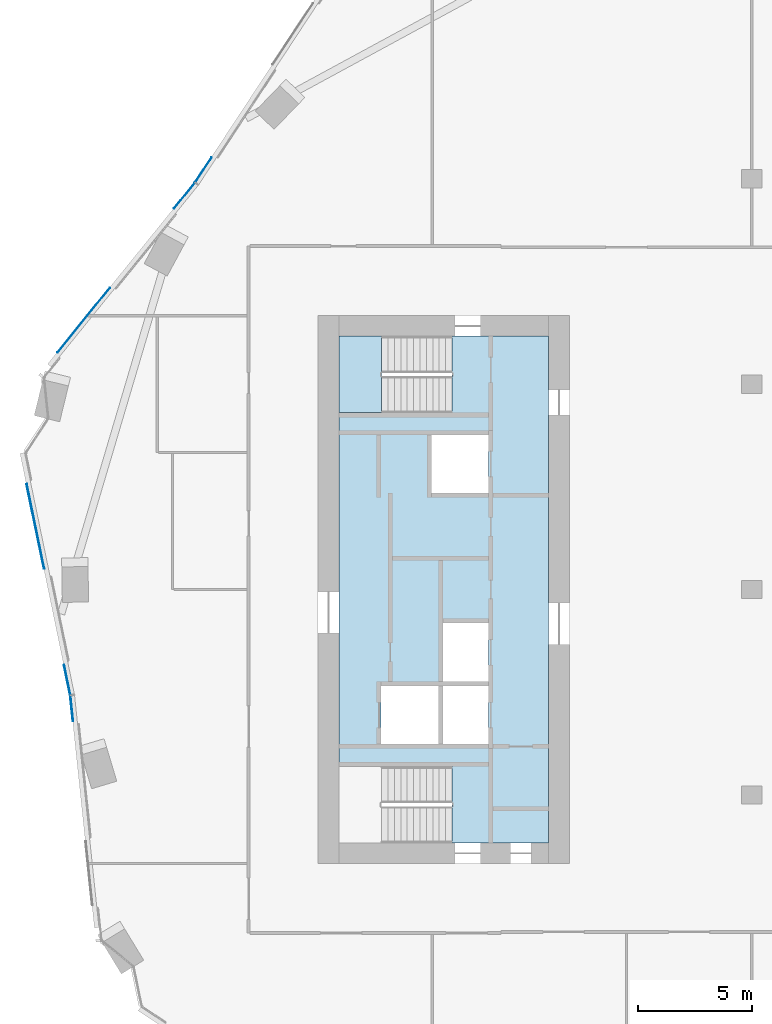
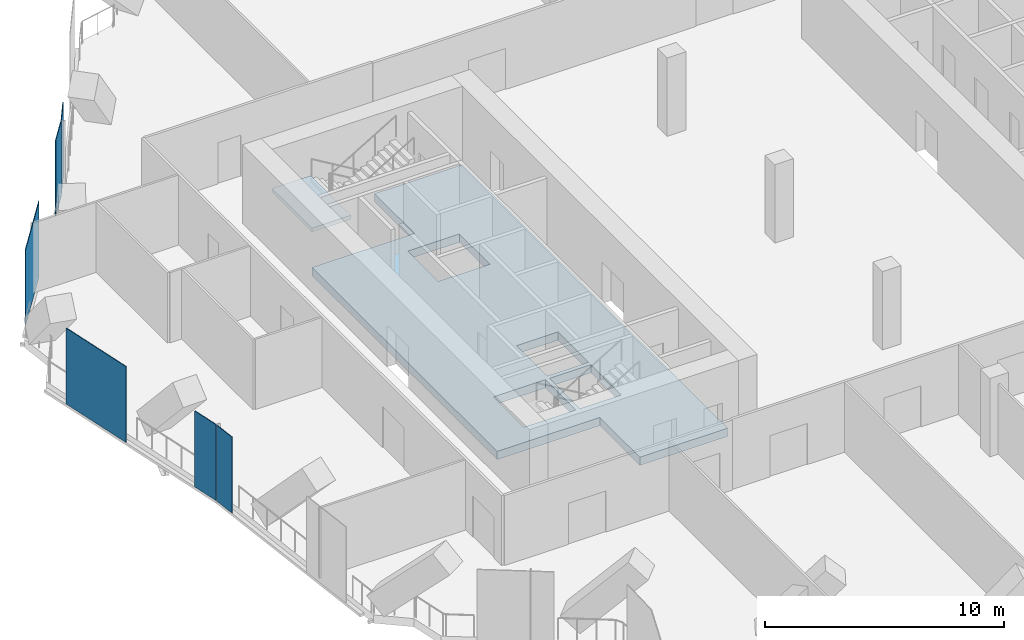
# One storey, part 16 of 26: 6 plates, 2 slabs, 5 elements without a shape of their own.
"""IFC4 building model written with IfcOpenShell, lengths in metres."""

from ifc_helpers import new_model, si_unit, direction, frame, origin, origin_2d, place, context, subcontext, project, spatial, polyline, rectangle, outline, extrude, material, layer, layer_set, type_object, element, aggregate, save


model = new_model("IFC4")

# Units and contexts
model_context = context("Model", 3, precision=1e-05, world=origin(), true_north=direction((0.0, 1.0)))
body_context = subcontext(model_context, "Body", "Model", "MODEL_VIEW")
ifc_project = project(units=[si_unit("LENGTHUNIT", "METRE"), si_unit("AREAUNIT", "SQUARE_METRE"), si_unit("VOLUMEUNIT", "CUBIC_METRE"), si_unit("PLANEANGLEUNIT", "RADIAN"), si_unit("MASSUNIT", "GRAM", prefix="KILO")], contexts=[model_context])

# Site, building, storey
site_placement = place(None, origin())
site = spatial("IfcSite", under=ifc_project, at=site_placement, CompositionType="ELEMENT")
building_placement = place(site_placement, origin())
building = spatial("IfcBuilding", under=site, at=building_placement, Name="Orlundy Tower", CompositionType="ELEMENT")
storey_placement = place(building_placement, frame((0.0, 0.0, 228.0)))
storey = spatial("IfcBuildingStorey", under=building, at=storey_placement, Name="L60", CompositionType="ELEMENT", Elevation=228.0)

# Curtain wall, plate
ifc_material_1 = material(Name="Aluminium bronze anodised", Category="aluminium")
curtain_wall_type = type_object("IfcCurtainWallType", Name="CW5 wall", PredefinedType="NOTDEFINED", material=ifc_material_1)
curtain_wall_1_placement = place(storey_placement, origin())
curtain_wall_1 = element("IfcCurtainWall", 1, at=curtain_wall_1_placement, inside=storey, type_object=curtain_wall_type, Name="CW5 run 03", PredefinedType="NOTDEFINED")
ifc_material_2 = material(Name="Tinted glass", Category="glass")
ifc_layer_1 = layer(ifc_material_2, 0.031982421875)
ifc_layer_set_1 = layer_set([ifc_layer_1], Name="CW5 glass panel 32")
plate_type_1 = type_object("IfcPlateType", Name="CW5 glass panel 32", PredefinedType="CURTAIN_PANEL", material=ifc_layer_set_1)
plate_1_placement = place(storey_placement, frame((-29.802490234375, -5.212158203125, -0.280029296875), z_axis=(0.0, 0.0, 1.0), x_axis=(-0.104504085518, 0.994524457271, 0.0)))
plate_1 = element("IfcPlate", 2, at=plate_1_placement, type_object=plate_type_1, Name="CW5 panel", PredefinedType="CURTAIN_PANEL", context=body_context, shape_type="SweptSolid", body=[
    extrude(rectangle(XDim=1.110107421875, YDim=0.031982421875, at=origin_2d()), origin(), (0.0, 0.0, 1.0), 3.8798828125),
])
aggregate(curtain_wall_1, [plate_1])

curtain_wall_2_placement = place(storey_placement, origin())
curtain_wall_2 = element("IfcCurtainWall", 3, at=curtain_wall_2_placement, inside=storey, type_object=curtain_wall_type, Name="CW5 run 04", PredefinedType="NOTDEFINED")
plate_2_placement = place(storey_placement, frame((-31.39208984375, 2.767822265625, -0.280029296875), z_axis=(0.0, 0.0, 1.0), x_axis=(-0.20226693792, 0.979330427294, 0.0)))
plate_2 = element("IfcPlate", 4, at=plate_2_placement, type_object=plate_type_1, Name="CW5 panel", PredefinedType="CURTAIN_PANEL", context=body_context, shape_type="SweptSolid", body=[
    extrude(rectangle(XDim=3.78955078125, YDim=0.031982421875, at=origin_2d()), origin(), (0.0, 0.0, 1.0), 3.8798828125),
])

# Curtain wall, plates
curtain_wall_3_placement = place(storey_placement, origin())
curtain_wall_3 = element("IfcCurtainWall", 5, at=curtain_wall_3_placement, inside=storey, type_object=curtain_wall_type, Name="CW5 run 07", PredefinedType="NOTDEFINED")
plate_3_placement = place(storey_placement, frame((-29.27783203125, 11.807861328125, -0.280029296875), z_axis=(0.0, 0.0, 1.0), x_axis=(0.629319122662, 0.777146988576, 0.0)))
plate_3 = element("IfcPlate", 6, at=plate_3_placement, type_object=plate_type_1, Name="CW5 panel", PredefinedType="CURTAIN_PANEL", context=body_context, shape_type="SweptSolid", body=[
    extrude(rectangle(XDim=3.634765625, YDim=0.031982421875, at=origin_2d()), origin(), (0.0, 0.0, 1.0), 3.8798828125),
])
plate_4_placement = place(storey_placement, frame((-24.86669921875, 17.255126953125, -0.280029296875), z_axis=(0.0, 0.0, 1.0), x_axis=(0.629319122662, 0.777146988576, 0.0)))
plate_4 = element("IfcPlate", 7, at=plate_4_placement, type_object=plate_type_1, Name="CW5 panel", PredefinedType="CURTAIN_PANEL", context=body_context, shape_type="SweptSolid", body=[
    extrude(rectangle(XDim=1.447021484375, YDim=0.031982421875, at=origin_2d()), origin(), (0.0, 0.0, 1.0), 3.8798828125),
])
aggregate(curtain_wall_3, [plate_3, plate_4])

# Plate
ifc_material_3 = material(Name="Tinted glass", Category="glass")
ifc_layer_2 = layer(ifc_material_3, 0.031982421875)
ifc_layer_set_2 = layer_set([ifc_layer_2], Name="CW5 vent panel 32")
plate_type_2 = type_object("IfcPlateType", Name="CW5 vent panel 32", PredefinedType="CURTAIN_PANEL", material=ifc_layer_set_2)
plate_5_placement = place(storey_placement, frame((-30.003173828125, -3.957275390625, -0.280029296875), z_axis=(0.0, 0.0, 1.0), x_axis=(-0.20226693792, 0.979330427294, 0.0)))
plate_5 = element("IfcPlate", 8, at=plate_5_placement, type_object=plate_type_2, Name="CW5 panel", PredefinedType="CURTAIN_PANEL", context=body_context, shape_type="SweptSolid", body=[
    extrude(rectangle(XDim=1.33447265625, YDim=0.031982421875, at=origin_2d()), origin(), (0.0, 0.0, 1.0), 3.8798828125),
])

aggregate(curtain_wall_2, [plate_5, plate_2])

# Curtain wall, plate
curtain_wall_4_placement = place(storey_placement, origin())
curtain_wall_4 = element("IfcCurtainWall", 9, at=curtain_wall_4_placement, inside=storey, type_object=curtain_wall_type, Name="CW5 run 08", PredefinedType="NOTDEFINED")
plate_6_placement = place(storey_placement, frame((-24.0263671875, 18.3984375, -0.280029296875), z_axis=(0.0, 0.0, 1.0), x_axis=(0.549520792708, 0.835480040684, 0.0)))
plate_6 = element("IfcPlate", 10, at=plate_6_placement, type_object=plate_type_2, Name="CW5 panel", PredefinedType="CURTAIN_PANEL", context=body_context, shape_type="SweptSolid", body=[
    extrude(rectangle(XDim=1.294677734375, YDim=0.031982421875, at=origin_2d()), origin(), (0.0, 0.0, 1.0), 3.8798828125),
])
aggregate(curtain_wall_4, [plate_6])

# Slab
ifc_material_4 = material(Name="Concrete C50/60", Category="concrete")
ifc_layer_3 = layer(ifc_material_4, 0.419921875)
ifc_layer_set_3 = layer_set([ifc_layer_3], Name="Core Floor Slab 420")
slab_type_1 = type_object("IfcSlabType", Name="Core Floor Slab 420", PredefinedType="FLOOR", material=ifc_layer_set_3)
slab_1_placement = place(storey_placement, frame((0.0, 0.0, -0.419921875)))
element("IfcSlab", 11, at=slab_1_placement, inside=storey, type_object=slab_type_1, Name="Core floor W46", PredefinedType="FLOOR", context=body_context, shape_type="SweptSolid", body=[
    extrude(outline(polyline([(-18.10009765625, 7.75), (-13.14501953125, 7.75), (-13.14501953125, 11.10009765625), (-8.89990234375, 11.10009765625), (-8.89990234375, -11.10009765625), (-13.14501953125, -11.10009765625), (-13.14501953125, -7.75), (-18.10009765625, -7.75), (-18.10009765625, 7.75)]), holes=[polyline([(-13.5400390625, -4.22509765625), (-13.5400390625, -6.77490234375), (-11.5400390625, -6.77490234375), (-11.5400390625, -4.22509765625), (-13.5400390625, -4.22509765625)]), polyline([(-13.739990234375, -4.22509765625), (-16.239990234375, -4.22509765625), (-16.239990234375, -6.77490234375), (-13.739990234375, -6.77490234375), (-13.739990234375, -4.22509765625)]), polyline([(-11.5400390625, -4.02490234375), (-11.5400390625, -1.47509765625), (-13.5400390625, -1.47509765625), (-13.5400390625, -4.02490234375), (-11.5400390625, -4.02490234375)]), polyline([(-14.0400390625, 4.22509765625), (-11.5400390625, 4.22509765625), (-11.5400390625, 6.77490234375), (-14.0400390625, 6.77490234375), (-14.0400390625, 4.22509765625)])]), origin(), (0.0, 0.0, 1.0), 0.419921875),
])

# Stair, slab
ifc_material_5 = material(Name="Concrete C50/60", Category="concrete")
stair_type = type_object("IfcStairType", Name="Exit Stair 24 risers", PredefinedType="HALF_TURN_STAIR", material=ifc_material_5)
stair_placement = place(storey_placement, origin())
stair = element("IfcStair", 12, at=stair_placement, inside=storey, type_object=stair_type, Name="L60 Exit Stair ST-W1", PredefinedType="HALF_TURN_STAIR")
ifc_material_6 = material(Name="Concrete C50/60", Category="concrete")
ifc_layer_4 = layer(ifc_material_6, 0.199951171875)
ifc_layer_set_4 = layer_set([ifc_layer_4], Name="Exit Stair Landing")
slab_type_2 = type_object("IfcSlabType", Name="Exit Stair Landing", PredefinedType="LANDING", material=ifc_layer_set_4)
slab_2_placement = place(storey_placement, frame((0.0, 0.0, 1.800048828125)))
slab_2 = element("IfcSlab", 13, at=slab_2_placement, type_object=slab_type_2, Name="ST-W1 landing 1", PredefinedType="LANDING", context=body_context, shape_type="SweptSolid", body=[
    extrude(outline(polyline([(-16.219970703125, 11.10009765625), (-18.10009765625, 11.10009765625), (-18.10009765625, 7.75), (-16.219970703125, 7.75), (-16.219970703125, 11.10009765625)])), origin(), (0.0, 0.0, 1.0), 0.199951171875),
])
aggregate(stair, [slab_2])

save(model, "model.ifc")
